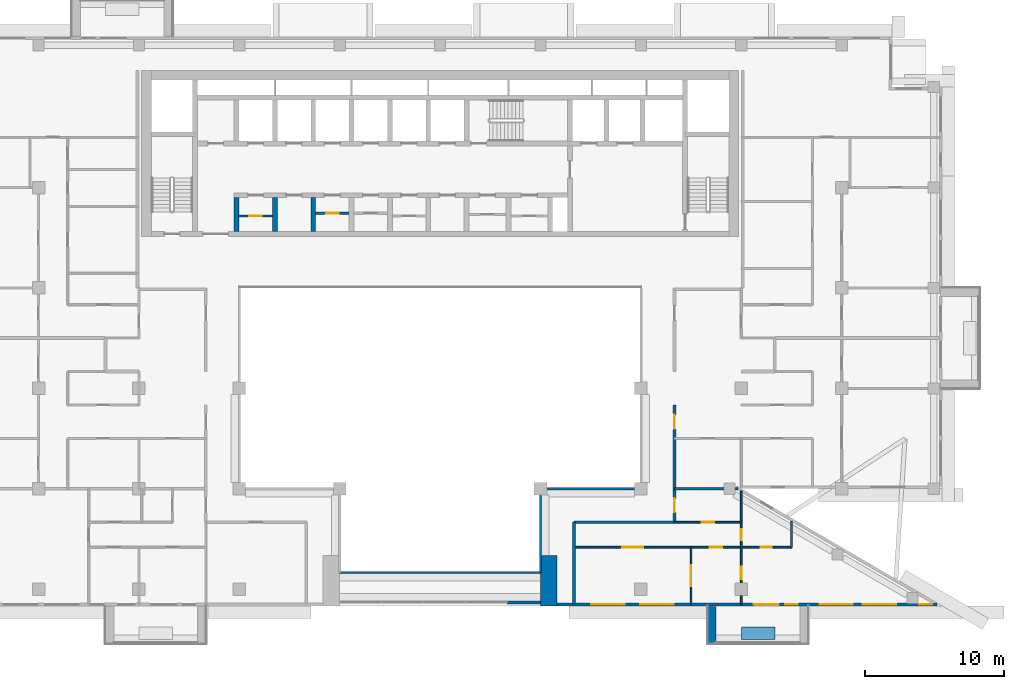
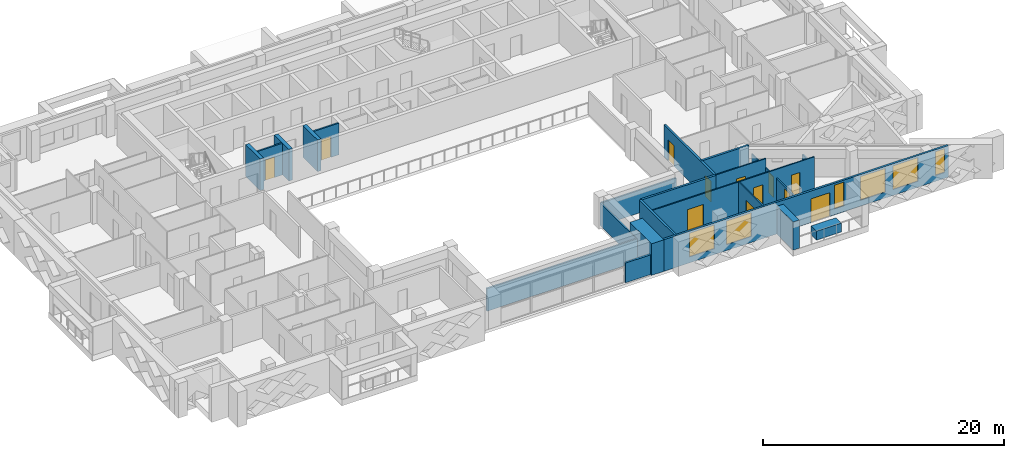
# One storey, part 8 of 20: 22 walls, 12 doors, 6 windows, 18 openings.
"""IFC4 building model written with IfcOpenShell, lengths in metres."""

from ifc_helpers import new_model, si_unit, direction, frame, frame_2d, origin, place, context, subcontext, project, spatial, rectangle, extrude, material, layer, layer_set, type_object, element, fill, save


model = new_model("IFC4")

# Units and contexts
model_context = context("Model", 3, precision=1e-05, world=origin(), true_north=direction((0.0, 1.0)))
body_context = subcontext(model_context, "Body", "Model", "MODEL_VIEW")
ifc_project = project(units=[si_unit("LENGTHUNIT", "METRE"), si_unit("AREAUNIT", "SQUARE_METRE"), si_unit("VOLUMEUNIT", "CUBIC_METRE"), si_unit("PLANEANGLEUNIT", "RADIAN"), si_unit("MASSUNIT", "GRAM", prefix="KILO")], contexts=[model_context])

# Site, building, storey
site_placement = place(None, origin())
site = spatial("IfcSite", under=ifc_project, at=site_placement, CompositionType="ELEMENT")
building_placement = place(site_placement, origin())
building = spatial("IfcBuilding", under=site, at=building_placement, Name="Saffron Iwan Residences", CompositionType="ELEMENT")
storey_placement = place(building_placement, frame((0.0, 0.0, 181.5)))
storey = spatial("IfcBuildingStorey", under=building, at=storey_placement, Name="L48", CompositionType="ELEMENT", Elevation=181.5)

# Walls
ifc_material_1 = material(Name="Fire-rated glazing", Category="glass")
ifc_layer_1 = layer(ifc_material_1, 0.14990234375)
ifc_layer_set_1 = layer_set([ifc_layer_1], Name="Fire-rated glazing")
wall_type_1 = type_object("IfcWallType", Name="Atrium glazed screen 150", PredefinedType="SOLIDWALL", material=ifc_layer_set_1)
wall_1_placement = place(storey_placement, frame((43.199951171875, 42.0, 0.0), z_axis=(0.0, 0.0, 1.0), x_axis=(1.0, 0.0, 0.0)))
element("IfcWall", 1, at=wall_1_placement, inside=storey, type_object=wall_type_1, Name="W-L48-SCREEN-h42-43.2", PredefinedType="SOLIDWALL", context=body_context, shape_type="SweptSolid", body=[
    extrude(rectangle(XDim=14.400146484375, YDim=0.14990234375, at=frame_2d((7.2001953125, 0.0))), origin(), (0.0, 0.0, 1.0), 2.300048828125),
])
wall_2_placement = place(storey_placement, frame((57.60009765625, 48.0, 0.0), z_axis=(0.0, 0.0, 1.0), x_axis=(1.0, 0.0, 0.0)))
element("IfcWall", 2, at=wall_2_placement, inside=storey, type_object=wall_type_1, Name="W-L48-SCREEN-h48-57.6", PredefinedType="SOLIDWALL", context=body_context, shape_type="SweptSolid", body=[
    extrude(rectangle(XDim=7.199951171875, YDim=0.14990234375, at=frame_2d((3.60009765625, 0.0))), origin(), (0.0, 0.0, 1.0), 2.300048828125),
])
wall_3_placement = place(storey_placement, frame((57.60009765625, 42.0, 0.0), z_axis=(0.0, 0.0, 1.0), x_axis=(0.0, 1.0, 0.0)))
element("IfcWall", 3, at=wall_3_placement, inside=storey, type_object=wall_type_1, Name="W-L48-SCREEN-v57.6-42", PredefinedType="SOLIDWALL", context=body_context, shape_type="SweptSolid", body=[
    extrude(rectangle(XDim=6.0, YDim=0.14990234375, at=frame_2d((3.0, 0.0))), origin(), (0.0, 0.0, 1.0), 2.300048828125),
])
ifc_material_2 = material(Name="Concrete C50/60 white painted", Category="concrete")
ifc_layer_2 = layer(ifc_material_2, 0.60009765625)
ifc_layer_set_2 = layer_set([ifc_layer_2], Name="Concrete C50/60 white painted")
wall_type_2 = type_object("IfcWallType", Name="BALCONY FIN 600", PredefinedType="SOLIDWALL", material=ifc_layer_set_2)
wall_4_placement = place(storey_placement, frame((69.89990234375, 39.550048828125, 0.0), z_axis=(0.0, 0.0, 1.0), x_axis=(0.0, -1.0, 0.0)))
element("IfcWall", 4, at=wall_4_placement, inside=storey, type_object=wall_type_2, Name="Balcony fin L48 11-1a", PredefinedType="SOLIDWALL", context=body_context, shape_type="SweptSolid", body=[
    extrude(rectangle(XDim=2.650146484375, YDim=0.60009765625, at=frame_2d((1.3251953125, 0.0))), origin(), (0.0, 0.0, 1.0), 2.85009765625),
])
ifc_material_3 = material(Name="Concrete C35/45 white painted", Category="concrete")
ifc_layer_3 = layer(ifc_material_3, 0.14990234375)
ifc_layer_set_3 = layer_set([ifc_layer_3], Name="Concrete C35/45 white painted")
wall_type_3 = type_object("IfcWallType", Name="BALCONY PLANTER", PredefinedType="SOLIDWALL", material=ifc_layer_set_3)
wall_5_placement = place(storey_placement, frame((72.0, 37.625, 0.0), z_axis=(0.0, 0.0, 1.0), x_axis=(1.0, 0.0, 0.0)))
element("IfcWall", 5, at=wall_5_placement, inside=storey, type_object=wall_type_3, Name="PLANTER L48 11-1", PredefinedType="SOLIDWALL", context=body_context, shape_type="SweptSolid", body=[
    extrude(rectangle(XDim=2.39990234375, YDim=0.89990234375, at=frame_2d((1.199951171875, 0.0))), origin(), (0.0, 0.0, 1.0), 0.89990234375),
])

# Wall, opening, door
ifc_material_4 = material(Name="Fire-rated plasterboard partition")
ifc_layer_4 = layer(ifc_material_4, 0.14990234375)
ifc_layer_set_4 = layer_set([ifc_layer_4], Name="Fire-rated plasterboard partition")
wall_type_4 = type_object("IfcWallType", Name="Core partition 150", PredefinedType="PARTITIONING", material=ifc_layer_set_4)
wall_6_placement = place(storey_placement, frame((35.97509765625, 67.5654296875, 0.0), z_axis=(0.0, 0.0, 1.0), x_axis=(1.0, 0.0, 0.0)))
wall_6 = element("IfcWall", 6, at=wall_6_placement, inside=storey, type_object=wall_type_4, Name="Core partition P01", PredefinedType="PARTITIONING", context=body_context, shape_type="SweptSolid", body=[
    extrude(rectangle(XDim=2.39990234375, YDim=0.14990234375, at=frame_2d((1.199951171875, 0.0))), origin(), (0.0, 0.0, 1.0), 3.199951171875),
])
opening_1_placement = place(wall_6_placement, frame((0.75, 0.0, 0.0)))
opening_1 = element("IfcOpeningElement", 7, at=opening_1_placement, cuts=wall_6, Name="Opening SB", PredefinedType="OPENING", context=body_context, shape_type="SweptSolid", body=[
    extrude(rectangle(XDim=0.89990234375, YDim=2.10009765625, at=frame_2d((0.449951171875, 1.050048828125))), frame((0.0, 0.0849609375, 0.0), z_axis=(0.0, -1.0, 0.0), x_axis=(1.0, 0.0, 0.0)), (0.0, 0.0, 1.0), 0.169921875),
])
ifc_material_5 = material(Name="Steel fire door", Category="steel")
door_type_1 = type_object("IfcDoorType", Name="Store door 900", OperationType="NOTDEFINED", PredefinedType="DOOR", material=ifc_material_5)
door_1_placement = place(opening_1_placement, origin())
door_1 = element("IfcDoor", 8, at=door_1_placement, inside=storey, type_object=door_type_1, Name="Door Equipment store", OperationType="SINGLE_SWING_RIGHT", OverallHeight=2.10009765625, OverallWidth=0.89990234375, PredefinedType="DOOR", context=body_context, shape_type="SweptSolid", body=[
    extrude(rectangle(XDim=0.89990234375, YDim=2.10009765625, at=frame_2d((0.449951171875, 1.050048828125))), frame((0.0, 0.02490234375, 0.0), z_axis=(0.0, -1.0, 0.0), x_axis=(1.0, 0.0, 0.0)), (0.0, 0.0, 1.0), 0.050048828125),
])
fill(opening_1, door_1)

wall_7_placement = place(storey_placement, frame((41.47509765625, 67.759521484375, 0.0), z_axis=(0.0, 0.0, 1.0), x_axis=(1.0, 0.0, 0.0)))
wall_7 = element("IfcWall", 9, at=wall_7_placement, inside=storey, type_object=wall_type_4, Name="Core partition P02", PredefinedType="PARTITIONING", context=body_context, shape_type="SweptSolid", body=[
    extrude(rectangle(XDim=2.39990234375, YDim=0.14990234375, at=frame_2d((1.199951171875, 0.0))), origin(), (0.0, 0.0, 1.0), 3.199951171875),
])
opening_2_placement = place(wall_7_placement, frame((0.75, 0.0, 0.0)))
opening_2 = element("IfcOpeningElement", 10, at=opening_2_placement, cuts=wall_7, Name="Opening SB", PredefinedType="OPENING", context=body_context, shape_type="SweptSolid", body=[
    extrude(rectangle(XDim=0.89990234375, YDim=2.10009765625, at=frame_2d((0.449951171875, 1.050048828125))), frame((0.0, 0.0849609375, 0.0), z_axis=(0.0, -1.0, 0.0), x_axis=(1.0, 0.0, 0.0)), (0.0, 0.0, 1.0), 0.169921875),
])
door_2_placement = place(opening_2_placement, origin())
door_2 = element("IfcDoor", 11, at=door_2_placement, inside=storey, type_object=door_type_1, Name="Door Spares store", OperationType="SINGLE_SWING_LEFT", OverallHeight=2.10009765625, OverallWidth=0.89990234375, PredefinedType="DOOR", context=body_context, shape_type="SweptSolid", body=[
    extrude(rectangle(XDim=0.89990234375, YDim=2.10009765625, at=frame_2d((0.449951171875, 1.050048828125))), frame((0.0, 0.02490234375, 0.0), z_axis=(0.0, -1.0, 0.0), x_axis=(1.0, 0.0, 0.0)), (0.0, 0.0, 1.0), 0.050048828125),
])
fill(opening_2, door_2)

# Wall, openings, door, windows
ifc_material_6 = material(Name="Concrete C40/50", Category="concrete")
ifc_layer_5 = layer(ifc_material_6, 0.199951171875)
ifc_layer_set_5 = layer_set([ifc_layer_5], Name="Concrete C40/50")
wall_type_5 = type_object("IfcWallType", Name="EXTERNAL WALL 200", PredefinedType="SOLIDWALL", material=ifc_layer_set_5)
wall_8_placement = place(storey_placement, frame((58.800048828125, 39.699951171875, 0.0), z_axis=(0.0, 0.0, 1.0), x_axis=(1.0, 0.0, 0.0)))
wall_8 = element("IfcWall", 12, at=wall_8_placement, inside=storey, type_object=wall_type_5, Name="External wall L48 F11.1", PredefinedType="SOLIDWALL", context=body_context, shape_type="SweptSolid", body=[
    extrude(rectangle(XDim=27.22998046875, YDim=0.199951171875, at=frame_2d((13.614990234375, 0.0))), origin(), (0.0, 0.0, 1.0), 3.199951171875),
])
opening_3_placement = place(wall_8_placement, frame((14.10009765625, 0.0, 0.0)))
opening_3 = element("IfcOpeningElement", 13, at=opening_3_placement, cuts=wall_8, Name="Opening BD1", PredefinedType="OPENING", context=body_context, shape_type="SweptSolid", body=[
    extrude(rectangle(XDim=1.800048828125, YDim=2.39990234375, at=frame_2d((0.89990234375, 1.199951171875))), frame((0.0, 0.10986328125, 0.0), z_axis=(0.0, -1.0, 0.0), x_axis=(1.0, 0.0, 0.0)), (0.0, 0.0, 1.0), 0.219970703125),
])
opening_4_placement = place(wall_8_placement, frame((2.433349609375, 0.0, 0.60009765625)))
opening_4 = element("IfcOpeningElement", 14, at=opening_4_placement, cuts=wall_8, Name="Opening W1", PredefinedType="OPENING", context=body_context, shape_type="SweptSolid", body=[
    extrude(rectangle(XDim=2.39990234375, YDim=2.39990234375, at=frame_2d((1.199951171875, 1.199951171875))), frame((0.0, 0.10986328125, 0.0), z_axis=(0.0, -1.0, 0.0), x_axis=(1.0, 0.0, 0.0)), (0.0, 0.0, 1.0), 0.219970703125),
])
opening_5_placement = place(wall_8_placement, frame((5.966796875, 0.0, 0.60009765625)))
opening_5 = element("IfcOpeningElement", 15, at=opening_5_placement, cuts=wall_8, Name="Opening W1", PredefinedType="OPENING", context=body_context, shape_type="SweptSolid", body=[
    extrude(rectangle(XDim=2.39990234375, YDim=2.39990234375, at=frame_2d((1.199951171875, 1.199951171875))), frame((0.0, 0.10986328125, 0.0), z_axis=(0.0, -1.0, 0.0), x_axis=(1.0, 0.0, 0.0)), (0.0, 0.0, 1.0), 0.219970703125),
])
opening_6_placement = place(wall_8_placement, frame((16.35009765625, 0.0, 0.60009765625)))
opening_6 = element("IfcOpeningElement", 16, at=opening_6_placement, cuts=wall_8, Name="Opening W10", PredefinedType="OPENING", context=body_context, shape_type="SweptSolid", body=[
    extrude(rectangle(XDim=0.89990234375, YDim=2.39990234375, at=frame_2d((0.449951171875, 1.199951171875))), frame((0.0, 0.10986328125, 0.0), z_axis=(0.0, -1.0, 0.0), x_axis=(1.0, 0.0, 0.0)), (0.0, 0.0, 1.0), 0.219970703125),
])
opening_7_placement = place(wall_8_placement, frame((18.80859375, 0.0, 0.60009765625)))
opening_7 = element("IfcOpeningElement", 17, at=opening_7_placement, cuts=wall_8, Name="Opening W1", PredefinedType="OPENING", context=body_context, shape_type="SweptSolid", body=[
    extrude(rectangle(XDim=2.39990234375, YDim=2.39990234375, at=frame_2d((1.199951171875, 1.199951171875))), frame((0.0, 0.10986328125, 0.0), z_axis=(0.0, -1.0, 0.0), x_axis=(1.0, 0.0, 0.0)), (0.0, 0.0, 1.0), 0.219970703125),
])
opening_8_placement = place(wall_8_placement, frame((21.91748046875, 0.0, 0.60009765625)))
opening_8 = element("IfcOpeningElement", 18, at=opening_8_placement, cuts=wall_8, Name="Opening W1", PredefinedType="OPENING", context=body_context, shape_type="SweptSolid", body=[
    extrude(rectangle(XDim=2.39990234375, YDim=2.39990234375, at=frame_2d((1.199951171875, 1.199951171875))), frame((0.0, 0.10986328125, 0.0), z_axis=(0.0, -1.0, 0.0), x_axis=(1.0, 0.0, 0.0)), (0.0, 0.0, 1.0), 0.219970703125),
])
opening_9_placement = place(wall_8_placement, frame((25.978271484375, 0.0, 0.60009765625)))
opening_9 = element("IfcOpeningElement", 19, at=opening_9_placement, cuts=wall_8, Name="Opening W10", PredefinedType="OPENING", context=body_context, shape_type="SweptSolid", body=[
    extrude(rectangle(XDim=0.89990234375, YDim=2.39990234375, at=frame_2d((0.449951171875, 1.199951171875))), frame((0.0, 0.10986328125, 0.0), z_axis=(0.0, -1.0, 0.0), x_axis=(1.0, 0.0, 0.0)), (0.0, 0.0, 1.0), 0.219970703125),
])
ifc_material_7 = material(Name="Clear glass, laminated double glazed", Category="glass")
door_type_2 = type_object("IfcDoorType", Name="BALCONY DOOR 1800 x 2400", OperationType="DOUBLE_DOOR_SLIDING", PredefinedType="DOOR", material=ifc_material_7)
door_3_placement = place(opening_3_placement, origin())
door_3 = element("IfcDoor", 20, at=door_3_placement, inside=storey, type_object=door_type_2, Name="Balcony door L48 F11.0", OperationType="DOUBLE_DOOR_SLIDING", OverallHeight=2.39990234375, OverallWidth=1.800048828125, PredefinedType="DOOR", context=body_context, shape_type="SweptSolid", body=[
    extrude(rectangle(XDim=1.800048828125, YDim=2.39990234375, at=frame_2d((0.89990234375, 1.199951171875))), frame((0.0, 0.02490234375, 0.0), z_axis=(0.0, -1.0, 0.0), x_axis=(1.0, 0.0, 0.0)), (0.0, 0.0, 1.0), 0.050048828125),
])
fill(opening_3, door_3)
window_type_1 = type_object("IfcWindowType", Name="WINDOW 2400 x 2400", PartitioningType="DOUBLE_PANEL_VERTICAL", PredefinedType="WINDOW", material=ifc_material_7)
window_1_placement = place(opening_4_placement, origin())
window_1 = element("IfcWindow", 21, at=window_1_placement, inside=storey, type_object=window_type_1, Name="Window L48 F11.1", OverallHeight=2.39990234375, OverallWidth=2.39990234375, PartitioningType="DOUBLE_PANEL_VERTICAL", PredefinedType="WINDOW", context=body_context, shape_type="SweptSolid", body=[
    extrude(rectangle(XDim=2.39990234375, YDim=2.39990234375, at=frame_2d((1.199951171875, 1.199951171875))), frame((0.0, 0.030029296875, 0.0), z_axis=(0.0, -1.0, 0.0), x_axis=(1.0, 0.0, 0.0)), (0.0, 0.0, 1.0), 0.06005859375),
])
fill(opening_4, window_1)
window_2_placement = place(opening_5_placement, origin())
window_2 = element("IfcWindow", 22, at=window_2_placement, inside=storey, type_object=window_type_1, Name="Window L48 F11.2", OverallHeight=2.39990234375, OverallWidth=2.39990234375, PartitioningType="DOUBLE_PANEL_VERTICAL", PredefinedType="WINDOW", context=body_context, shape_type="SweptSolid", body=[
    extrude(rectangle(XDim=2.39990234375, YDim=2.39990234375, at=frame_2d((1.199951171875, 1.199951171875))), frame((0.0, 0.030029296875, 0.0), z_axis=(0.0, -1.0, 0.0), x_axis=(1.0, 0.0, 0.0)), (0.0, 0.0, 1.0), 0.06005859375),
])
fill(opening_5, window_2)
window_3_placement = place(opening_7_placement, origin())
window_3 = element("IfcWindow", 23, at=window_3_placement, inside=storey, type_object=window_type_1, Name="Window L48 F11.4", OverallHeight=2.39990234375, OverallWidth=2.39990234375, PartitioningType="DOUBLE_PANEL_VERTICAL", PredefinedType="WINDOW", context=body_context, shape_type="SweptSolid", body=[
    extrude(rectangle(XDim=2.39990234375, YDim=2.39990234375, at=frame_2d((1.199951171875, 1.199951171875))), frame((0.0, 0.030029296875, 0.0), z_axis=(0.0, -1.0, 0.0), x_axis=(1.0, 0.0, 0.0)), (0.0, 0.0, 1.0), 0.06005859375),
])
fill(opening_7, window_3)
window_4_placement = place(opening_8_placement, origin())
window_4 = element("IfcWindow", 24, at=window_4_placement, inside=storey, type_object=window_type_1, Name="Window L48 F11.5", OverallHeight=2.39990234375, OverallWidth=2.39990234375, PartitioningType="DOUBLE_PANEL_VERTICAL", PredefinedType="WINDOW", context=body_context, shape_type="SweptSolid", body=[
    extrude(rectangle(XDim=2.39990234375, YDim=2.39990234375, at=frame_2d((1.199951171875, 1.199951171875))), frame((0.0, 0.030029296875, 0.0), z_axis=(0.0, -1.0, 0.0), x_axis=(1.0, 0.0, 0.0)), (0.0, 0.0, 1.0), 0.06005859375),
])
fill(opening_8, window_4)
window_type_2 = type_object("IfcWindowType", Name="WINDOW 900 x 2400", PartitioningType="SINGLE_PANEL", PredefinedType="WINDOW", material=ifc_material_7)
window_5_placement = place(opening_6_placement, origin())
window_5 = element("IfcWindow", 25, at=window_5_placement, inside=storey, type_object=window_type_2, Name="Window L48 F11.3", OverallHeight=2.39990234375, OverallWidth=0.89990234375, PartitioningType="SINGLE_PANEL", PredefinedType="WINDOW", context=body_context, shape_type="SweptSolid", body=[
    extrude(rectangle(XDim=0.89990234375, YDim=2.39990234375, at=frame_2d((0.449951171875, 1.199951171875))), frame((0.0, 0.030029296875, 0.0), z_axis=(0.0, -1.0, 0.0), x_axis=(1.0, 0.0, 0.0)), (0.0, 0.0, 1.0), 0.06005859375),
])
fill(opening_6, window_5)
window_6_placement = place(opening_9_placement, origin())
window_6 = element("IfcWindow", 26, at=window_6_placement, inside=storey, type_object=window_type_2, Name="Window L48 F11.6", OverallHeight=2.39990234375, OverallWidth=0.89990234375, PartitioningType="SINGLE_PANEL", PredefinedType="WINDOW", context=body_context, shape_type="SweptSolid", body=[
    extrude(rectangle(XDim=0.89990234375, YDim=2.39990234375, at=frame_2d((0.449951171875, 1.199951171875))), frame((0.0, 0.030029296875, 0.0), z_axis=(0.0, -1.0, 0.0), x_axis=(1.0, 0.0, 0.0)), (0.0, 0.0, 1.0), 0.06005859375),
])
fill(opening_9, window_6)

# Walls
wall_9_placement = place(storey_placement, frame((55.199951171875, 39.85009765625, 0.0), z_axis=(0.0, 0.0, 1.0), x_axis=(1.0, 0.0, 0.0)))
element("IfcWall", 27, at=wall_9_placement, inside=storey, type_object=wall_type_5, Name="External wall infill CWB-L48-0", PredefinedType="SOLIDWALL", context=body_context, shape_type="SweptSolid", body=[
    extrude(rectangle(XDim=2.400146484375, YDim=0.199951171875, at=frame_2d((1.2001953125, 0.0))), origin(), (0.0, 0.0, 1.0), 2.0),
])
ifc_material_8 = material(Name="Fire-rated gypsum board wall")
ifc_layer_6 = layer(ifc_material_8, 0.199951171875)
ifc_layer_set_6 = layer_set([ifc_layer_6], Name="Fire-rated gypsum board wall")
wall_type_6 = type_object("IfcWallType", Name="Flat demising wall 200", PredefinedType="SOLIDWALL", material=ifc_layer_set_6)
wall_10_placement = place(storey_placement, frame((67.199951171875, 48.0, 0.0), z_axis=(0.0, 0.0, 1.0), x_axis=(1.0, 0.0, 0.0)))
element("IfcWall", 28, at=wall_10_placement, inside=storey, type_object=wall_type_6, Name="W-L48-DEMISE-h48-67.2", PredefinedType="SOLIDWALL", context=body_context, shape_type="SweptSolid", body=[
    extrude(rectangle(XDim=4.552001953125, YDim=0.199951171875, at=frame_2d((2.27587890625, 0.0))), origin(), (0.0, 0.0, 1.0), 3.199951171875),
])

# Wall, openings, doors
ifc_material_9 = material(Name="Gypsum board partition")
ifc_layer_7 = layer(ifc_material_9, 0.1201171875)
ifc_layer_set_7 = layer_set([ifc_layer_7], Name="Gypsum board partition")
wall_type_7 = type_object("IfcWallType", Name="Flat partition 120", PredefinedType="PARTITIONING", material=ifc_layer_set_7)
wall_11_placement = place(storey_placement, frame((60.0, 43.800048828125, 0.0), z_axis=(0.0, 0.0, 1.0), x_axis=(1.0, 0.0, 0.0)))
wall_11 = element("IfcWall", 29, at=wall_11_placement, inside=storey, type_object=wall_type_7, Name="W-L48-PART-h43.8-60", PredefinedType="PARTITIONING", context=body_context, shape_type="SweptSolid", body=[
    extrude(rectangle(XDim=15.60009765625, YDim=0.1201171875, at=frame_2d((7.800048828125, 0.0))), origin(), (0.0, 0.0, 1.0), 3.199951171875),
])
opening_10_placement = place(wall_11_placement, frame((9.75, 0.0, 0.0)))
opening_10 = element("IfcOpeningElement", 30, at=opening_10_placement, cuts=wall_11, Name="Opening FD2", PredefinedType="OPENING", context=body_context, shape_type="SweptSolid", body=[
    extrude(rectangle(XDim=0.89990234375, YDim=2.10009765625, at=frame_2d((0.449951171875, 1.050048828125))), frame((0.0, 0.070068359375, 0.0), z_axis=(0.0, -1.0, 0.0), x_axis=(1.0, 0.0, 0.0)), (0.0, 0.0, 1.0), 0.14013671875),
])
opening_11_placement = place(wall_11_placement, frame((3.449951171875, 0.0, 0.0)))
opening_11 = element("IfcOpeningElement", 31, at=opening_11_placement, cuts=wall_11, Name="Opening FD4", PredefinedType="OPENING", context=body_context, shape_type="SweptSolid", body=[
    extrude(rectangle(XDim=1.5, YDim=2.10009765625, at=frame_2d((0.75, 1.050048828125))), frame((0.0, 0.070068359375, 0.0), z_axis=(0.0, -1.0, 0.0), x_axis=(1.0, 0.0, 0.0)), (0.0, 0.0, 1.0), 0.14013671875),
])
opening_12_placement = place(wall_11_placement, frame((13.39990234375, 0.0, 0.0)))
opening_12 = element("IfcOpeningElement", 32, at=opening_12_placement, cuts=wall_11, Name="Opening FD3", PredefinedType="OPENING", context=body_context, shape_type="SweptSolid", body=[
    extrude(rectangle(XDim=0.800048828125, YDim=2.10009765625, at=frame_2d((0.39990234375, 1.050048828125))), frame((0.0, 0.070068359375, 0.0), z_axis=(0.0, -1.0, 0.0), x_axis=(1.0, 0.0, 0.0)), (0.0, 0.0, 1.0), 0.14013671875),
])
ifc_material_10 = material(Name="Timber door", Category="wood")
door_type_3 = type_object("IfcDoorType", Name="Bathroom door 800", OperationType="NOTDEFINED", PredefinedType="DOOR", material=ifc_material_10)
door_4_placement = place(opening_12_placement, origin())
door_4 = element("IfcDoor", 33, at=door_4_placement, inside=storey, type_object=door_type_3, Name="Door L48-046", OperationType="SINGLE_SWING_RIGHT", OverallHeight=2.10009765625, OverallWidth=0.800048828125, PredefinedType="DOOR", context=body_context, shape_type="SweptSolid", body=[
    extrude(rectangle(XDim=0.800048828125, YDim=2.10009765625, at=frame_2d((0.39990234375, 1.050048828125))), frame((0.0, 0.02490234375, 0.0), z_axis=(0.0, -1.0, 0.0), x_axis=(1.0, 0.0, 0.0)), (0.0, 0.0, 1.0), 0.050048828125),
])
fill(opening_12, door_4)
door_type_4 = type_object("IfcDoorType", Name="Double door 1500", OperationType="NOTDEFINED", PredefinedType="DOOR", material=ifc_material_10)
door_5_placement = place(opening_11_placement, origin())
door_5 = element("IfcDoor", 34, at=door_5_placement, inside=storey, type_object=door_type_4, Name="Door L48-043", OperationType="SINGLE_SWING_RIGHT", OverallHeight=2.10009765625, OverallWidth=1.5, PredefinedType="DOOR", context=body_context, shape_type="SweptSolid", body=[
    extrude(rectangle(XDim=1.5, YDim=2.10009765625, at=frame_2d((0.75, 1.050048828125))), frame((0.0, 0.02490234375, 0.0), z_axis=(0.0, -1.0, 0.0), x_axis=(1.0, 0.0, 0.0)), (0.0, 0.0, 1.0), 0.050048828125),
])
fill(opening_11, door_5)
door_type_5 = type_object("IfcDoorType", Name="Flat door 900", OperationType="NOTDEFINED", PredefinedType="DOOR", material=ifc_material_10)
door_6_placement = place(opening_10_placement, origin())
door_6 = element("IfcDoor", 35, at=door_6_placement, inside=storey, type_object=door_type_5, Name="Door L48-042", OperationType="SINGLE_SWING_LEFT", OverallHeight=2.10009765625, OverallWidth=0.89990234375, PredefinedType="DOOR", context=body_context, shape_type="SweptSolid", body=[
    extrude(rectangle(XDim=0.89990234375, YDim=2.10009765625, at=frame_2d((0.449951171875, 1.050048828125))), frame((0.0, 0.02490234375, 0.0), z_axis=(0.0, -1.0, 0.0), x_axis=(1.0, 0.0, 0.0)), (0.0, 0.0, 1.0), 0.050048828125),
])
fill(opening_10, door_6)

# Wall, opening, door
wall_12_placement = place(storey_placement, frame((67.199951171875, 45.60009765625, 0.0), z_axis=(0.0, 0.0, 1.0), x_axis=(1.0, 0.0, 0.0)))
wall_12 = element("IfcWall", 36, at=wall_12_placement, inside=storey, type_object=wall_type_7, Name="W-L48-PART-h45.6-67.2", PredefinedType="PARTITIONING", context=body_context, shape_type="SweptSolid", body=[
    extrude(rectangle(XDim=4.800048828125, YDim=0.1201171875, at=frame_2d((2.39990234375, 0.0))), origin(), (0.0, 0.0, 1.0), 3.199951171875),
])
opening_13_placement = place(wall_12_placement, frame((1.949951171875, 0.0, 0.0)))
opening_13 = element("IfcOpeningElement", 37, at=opening_13_placement, cuts=wall_12, Name="Opening FD2", PredefinedType="OPENING", context=body_context, shape_type="SweptSolid", body=[
    extrude(rectangle(XDim=0.89990234375, YDim=2.10009765625, at=frame_2d((0.449951171875, 1.050048828125))), frame((0.0, 0.070068359375, 0.0), z_axis=(0.0, -1.0, 0.0), x_axis=(1.0, 0.0, 0.0)), (0.0, 0.0, 1.0), 0.14013671875),
])
door_7_placement = place(opening_13_placement, origin())
door_7 = element("IfcDoor", 38, at=door_7_placement, inside=storey, type_object=door_type_5, Name="Door L48-040", OperationType="SINGLE_SWING_RIGHT", OverallHeight=2.10009765625, OverallWidth=0.89990234375, PredefinedType="DOOR", context=body_context, shape_type="SweptSolid", body=[
    extrude(rectangle(XDim=0.89990234375, YDim=2.10009765625, at=frame_2d((0.449951171875, 1.050048828125))), frame((0.0, 0.02490234375, 0.0), z_axis=(0.0, -1.0, 0.0), x_axis=(1.0, 0.0, 0.0)), (0.0, 0.0, 1.0), 0.050048828125),
])
fill(opening_13, door_7)

wall_13_placement = place(storey_placement, frame((68.39990234375, 39.72509765625, 0.0), z_axis=(0.0, 0.0, 1.0), x_axis=(0.0, 1.0, 0.0)))
wall_13 = element("IfcWall", 39, at=wall_13_placement, inside=storey, type_object=wall_type_7, Name="W-L48-PART-v68.4-39.725", PredefinedType="PARTITIONING", context=body_context, shape_type="SweptSolid", body=[
    extrude(rectangle(XDim=4.074951171875, YDim=0.1201171875, at=frame_2d((2.03759765625, 0.0))), origin(), (0.0, 0.0, 1.0), 3.199951171875),
])
opening_14_placement = place(wall_13_placement, frame((1.28759765625, 0.0, 0.0)))
opening_14 = element("IfcOpeningElement", 40, at=opening_14_placement, cuts=wall_13, Name="Opening FD4", PredefinedType="OPENING", context=body_context, shape_type="SweptSolid", body=[
    extrude(rectangle(XDim=1.5, YDim=2.10009765625, at=frame_2d((0.75, 1.050048828125))), frame((0.0, 0.070068359375, 0.0), z_axis=(0.0, -1.0, 0.0), x_axis=(1.0, 0.0, 0.0)), (0.0, 0.0, 1.0), 0.14013671875),
])
door_8_placement = place(opening_14_placement, origin())
door_8 = element("IfcDoor", 41, at=door_8_placement, inside=storey, type_object=door_type_4, Name="Door L48-039", OperationType="SINGLE_SWING_LEFT", OverallHeight=2.10009765625, OverallWidth=1.5, PredefinedType="DOOR", context=body_context, shape_type="SweptSolid", body=[
    extrude(rectangle(XDim=1.5, YDim=2.10009765625, at=frame_2d((0.75, 1.050048828125))), frame((0.0, 0.02490234375, 0.0), z_axis=(0.0, -1.0, 0.0), x_axis=(1.0, 0.0, 0.0)), (0.0, 0.0, 1.0), 0.050048828125),
])
fill(opening_14, door_8)

# Wall, openings, doors
wall_14_placement = place(storey_placement, frame((72.0, 39.72509765625, 0.0), z_axis=(0.0, 0.0, 1.0), x_axis=(0.0, 1.0, 0.0)))
wall_14 = element("IfcWall", 42, at=wall_14_placement, inside=storey, type_object=wall_type_7, Name="W-L48-PART-v72-39.725", PredefinedType="PARTITIONING", context=body_context, shape_type="SweptSolid", body=[
    extrude(rectangle(XDim=8.1298828125, YDim=0.1201171875, at=frame_2d((4.06494140625, 0.0))), origin(), (0.0, 0.0, 1.0), 2.300048828125),
])
opening_15_placement = place(wall_14_placement, frame((1.78759765625, 0.0, 0.0)))
opening_15 = element("IfcOpeningElement", 43, at=opening_15_placement, cuts=wall_14, Name="Opening FD2", PredefinedType="OPENING", context=body_context, shape_type="SweptSolid", body=[
    extrude(rectangle(XDim=0.89990234375, YDim=2.10009765625, at=frame_2d((0.449951171875, 1.050048828125))), frame((0.0, 0.070068359375, 0.0), z_axis=(0.0, -1.0, 0.0), x_axis=(1.0, 0.0, 0.0)), (0.0, 0.0, 1.0), 0.14013671875),
])
opening_16_placement = place(wall_14_placement, frame((4.574951171875, 0.0, 0.0)))
opening_16 = element("IfcOpeningElement", 44, at=opening_16_placement, cuts=wall_14, Name="Opening FD3", PredefinedType="OPENING", context=body_context, shape_type="SweptSolid", body=[
    extrude(rectangle(XDim=0.800048828125, YDim=2.10009765625, at=frame_2d((0.39990234375, 1.050048828125))), frame((0.0, 0.070068359375, 0.0), z_axis=(0.0, -1.0, 0.0), x_axis=(1.0, 0.0, 0.0)), (0.0, 0.0, 1.0), 0.14013671875),
])
door_9_placement = place(opening_16_placement, origin())
door_9 = element("IfcDoor", 45, at=door_9_placement, inside=storey, type_object=door_type_3, Name="Door L48-045", OperationType="SINGLE_SWING_LEFT", OverallHeight=2.10009765625, OverallWidth=0.800048828125, PredefinedType="DOOR", context=body_context, shape_type="SweptSolid", body=[
    extrude(rectangle(XDim=0.800048828125, YDim=2.10009765625, at=frame_2d((0.39990234375, 1.050048828125))), frame((0.0, 0.02490234375, 0.0), z_axis=(0.0, -1.0, 0.0), x_axis=(1.0, 0.0, 0.0)), (0.0, 0.0, 1.0), 0.050048828125),
])
fill(opening_16, door_9)
door_10_placement = place(opening_15_placement, origin())
door_10 = element("IfcDoor", 46, at=door_10_placement, inside=storey, type_object=door_type_5, Name="Door L48-044", OperationType="SINGLE_SWING_RIGHT", OverallHeight=2.10009765625, OverallWidth=0.89990234375, PredefinedType="DOOR", context=body_context, shape_type="SweptSolid", body=[
    extrude(rectangle(XDim=0.89990234375, YDim=2.10009765625, at=frame_2d((0.449951171875, 1.050048828125))), frame((0.0, 0.02490234375, 0.0), z_axis=(0.0, -1.0, 0.0), x_axis=(1.0, 0.0, 0.0)), (0.0, 0.0, 1.0), 0.050048828125),
])
fill(opening_15, door_10)

# Walls
wall_15_placement = place(storey_placement, frame((75.60009765625, 43.800048828125, 0.0), z_axis=(0.0, 0.0, 1.0), x_axis=(0.0, 1.0, 0.0)))
element("IfcWall", 47, at=wall_15_placement, inside=storey, type_object=wall_type_7, Name="W-L48-PART-v75.6-43.8", PredefinedType="PARTITIONING", context=body_context, shape_type="SweptSolid", body=[
    extrude(rectangle(XDim=1.868408203125, YDim=0.1201171875, at=frame_2d((0.93408203125, 0.0))), origin(), (0.0, 0.0, 1.0), 2.300048828125),
])
ifc_layer_8 = layer(ifc_material_8, 0.199951171875)
ifc_layer_set_8 = layer_set([ifc_layer_8], Name="Fire-rated gypsum board wall")
wall_type_8 = type_object("IfcWallType", Name="Gallery wall 200", PredefinedType="SOLIDWALL", material=ifc_layer_set_8)
wall_16_placement = place(storey_placement, frame((60.0, 45.60009765625, 0.0), z_axis=(0.0, 0.0, 1.0), x_axis=(1.0, 0.0, 0.0)))
element("IfcWall", 48, at=wall_16_placement, inside=storey, type_object=wall_type_8, Name="W-L48-CORR-h45.6-60", PredefinedType="SOLIDWALL", context=body_context, shape_type="SweptSolid", body=[
    extrude(rectangle(XDim=7.199951171875, YDim=0.199951171875, at=frame_2d((3.60009765625, 0.0))), origin(), (0.0, 0.0, 1.0), 3.199951171875),
])
wall_17_placement = place(storey_placement, frame((60.0, 39.72509765625, 0.0), z_axis=(0.0, 0.0, 1.0), x_axis=(0.0, 1.0, 0.0)))
element("IfcWall", 49, at=wall_17_placement, inside=storey, type_object=wall_type_8, Name="W-L48-CORR-v60-39.725", PredefinedType="SOLIDWALL", context=body_context, shape_type="SweptSolid", body=[
    extrude(rectangle(XDim=5.875, YDim=0.199951171875, at=frame_2d((2.9375, 0.0))), origin(), (0.0, 0.0, 1.0), 3.199951171875),
])

# Wall, openings, doors
wall_18_placement = place(storey_placement, frame((67.199951171875, 45.60009765625, 0.0), z_axis=(0.0, 0.0, 1.0), x_axis=(0.0, 1.0, 0.0)))
wall_18 = element("IfcWall", 50, at=wall_18_placement, inside=storey, type_object=wall_type_8, Name="W-L48-CORR-v67.2-45.6", PredefinedType="SOLIDWALL", context=body_context, shape_type="SweptSolid", body=[
    extrude(rectangle(XDim=8.39990234375, YDim=0.199951171875, at=frame_2d((4.199951171875, 0.0))), origin(), (0.0, 0.0, 1.0), 3.199951171875),
])
opening_17_placement = place(wall_18_placement, frame((6.699951171875, 0.0, 0.0)))
opening_17 = element("IfcOpeningElement", 51, at=opening_17_placement, cuts=wall_18, Name="Opening FD1", PredefinedType="OPENING", context=body_context, shape_type="SweptSolid", body=[
    extrude(rectangle(XDim=1.0, YDim=2.10009765625, at=frame_2d((0.5, 1.050048828125))), frame((0.0, 0.10986328125, 0.0), z_axis=(0.0, -1.0, 0.0), x_axis=(1.0, 0.0, 0.0)), (0.0, 0.0, 1.0), 0.219970703125),
])
opening_18_placement = place(wall_18_placement, frame((0.699951171875, 0.0, 0.0)))
opening_18 = element("IfcOpeningElement", 52, at=opening_18_placement, cuts=wall_18, Name="Opening FD5", PredefinedType="OPENING", context=body_context, shape_type="SweptSolid", body=[
    extrude(rectangle(XDim=1.0, YDim=2.10009765625, at=frame_2d((0.5, 1.050048828125))), frame((0.0, 0.10986328125, 0.0), z_axis=(0.0, -1.0, 0.0), x_axis=(1.0, 0.0, 0.0)), (0.0, 0.0, 1.0), 0.219970703125),
])
ifc_material_11 = material(Name="Fire-rated timber door", Category="wood")
door_type_6 = type_object("IfcDoorType", Name="FD30S flat entrance door 1000", OperationType="NOTDEFINED", PredefinedType="DOOR", material=ifc_material_11)
door_11_placement = place(opening_17_placement, origin())
door_11 = element("IfcDoor", 53, at=door_11_placement, inside=storey, type_object=door_type_6, Name="Door L48-014", OperationType="SINGLE_SWING_LEFT", OverallHeight=2.10009765625, OverallWidth=1.0, PredefinedType="DOOR", context=body_context, shape_type="SweptSolid", body=[
    extrude(rectangle(XDim=1.0, YDim=2.10009765625, at=frame_2d((0.5, 1.050048828125))), frame((0.0, 0.02490234375, 0.0), z_axis=(0.0, -1.0, 0.0), x_axis=(1.0, 0.0, 0.0)), (0.0, 0.0, 1.0), 0.050048828125),
])
fill(opening_17, door_11)
door_type_7 = type_object("IfcDoorType", Name="Lobby door 1000", OperationType="NOTDEFINED", PredefinedType="DOOR", material=ifc_material_11)
door_12_placement = place(opening_18_placement, origin())
door_12 = element("IfcDoor", 54, at=door_12_placement, inside=storey, type_object=door_type_7, Name="Door L48-041", OperationType="SINGLE_SWING_LEFT", OverallHeight=2.10009765625, OverallWidth=1.0, PredefinedType="DOOR", context=body_context, shape_type="SweptSolid", body=[
    extrude(rectangle(XDim=1.0, YDim=2.10009765625, at=frame_2d((0.5, 1.050048828125))), frame((0.0, 0.02490234375, 0.0), z_axis=(0.0, -1.0, 0.0), x_axis=(1.0, 0.0, 0.0)), (0.0, 0.0, 1.0), 0.050048828125),
])
fill(opening_18, door_12)

# Walls
ifc_material_12 = material(Name="Concrete C50/60", Category="concrete")
ifc_layer_9 = layer(ifc_material_12, 0.35009765625)
ifc_layer_set_9 = layer_set([ifc_layer_9], Name="Concrete C50/60")
wall_type_9 = type_object("IfcWallType", Name="WALL CORE 350 C50/60 3200 HIGH", PredefinedType="SHEAR", material=ifc_layer_set_9)
for number, where, z_axis, x_axis, name in (
    (55, (35.800048828125, 66.449951171875, 0.0), (0.0, 0.0, 1.0), (0.0, 1.0, 0.0), "Core wall"),
    (56, (38.550048828125, 66.449951171875, 0.0), (0.0, 0.0, 1.0), (0.0, 1.0, 0.0), "Core wall"),
    (57, (41.300048828125, 66.449951171875, 0.0), (0.0, 0.0, 1.0), (0.0, 1.0, 0.0), "Core wall"),
):
    element("IfcWall", number, at=place(storey_placement, frame(where, z_axis=z_axis, x_axis=x_axis)), inside=storey, type_object=wall_type_9, Name=name, PredefinedType="SHEAR", context=body_context, shape_type="SweptSolid", body=[
        extrude(rectangle(XDim=2.425048828125, YDim=0.35009765625, at=frame_2d((1.21240234375, 0.0))), origin(), (0.0, 0.0, 1.0), 3.199951171875),
    ])
ifc_layer_10 = layer(ifc_material_12, 1.199951171875)
ifc_layer_set_10 = layer_set([ifc_layer_10], Name="Concrete C50/60")
wall_type_10 = type_object("IfcWallType", Name="WALL IWAN PIER 1200 C50/60 3200 HIGH", PredefinedType="SHEAR", material=ifc_layer_set_10)
wall_19_placement = place(storey_placement, frame((58.199951171875, 39.60009765625, 0.0), z_axis=(0.0, 0.0, 1.0), x_axis=(0.0, 1.0, 0.0)))
element("IfcWall", 58, at=wall_19_placement, inside=storey, type_object=wall_type_10, Name="IWAN PIER", PredefinedType="SHEAR", context=body_context, shape_type="SweptSolid", body=[
    extrude(rectangle(XDim=3.599853515625, YDim=1.199951171875, at=frame_2d((1.7998046875, 0.0))), origin(), (0.0, 0.0, 1.0), 3.199951171875),
])

save(model, "model.ifc")
